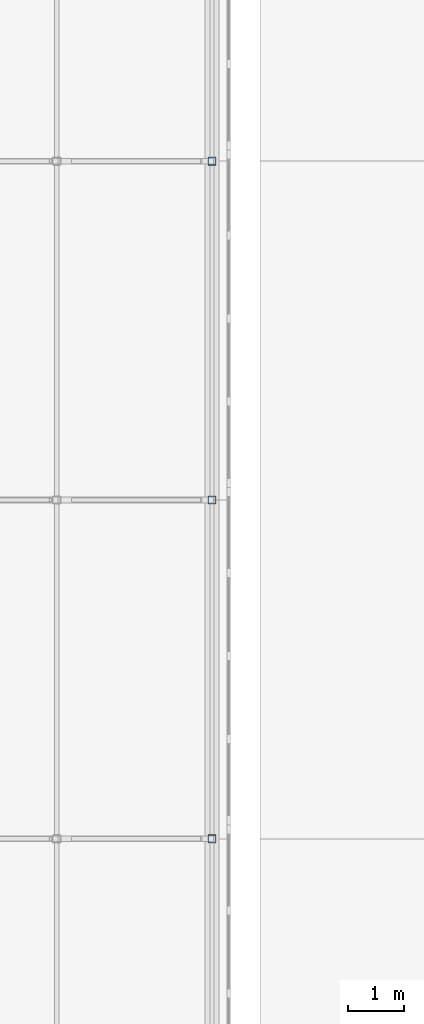
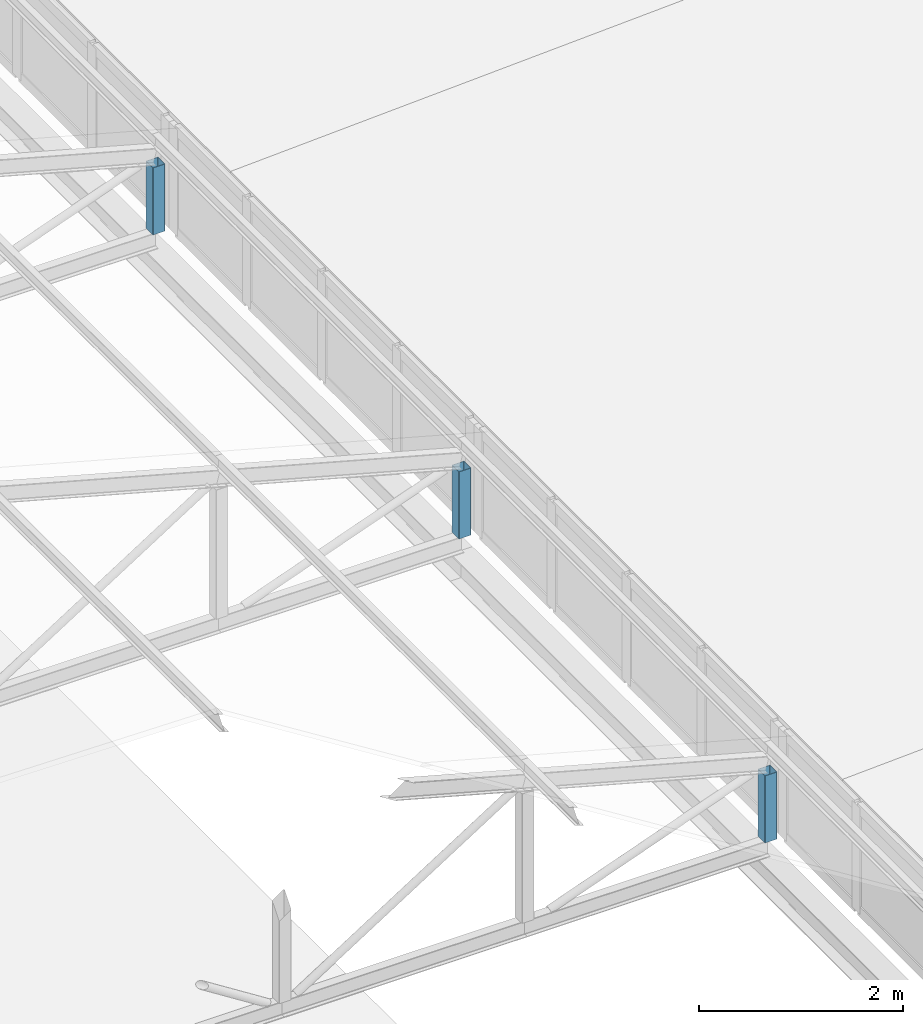
# One storey, part 68 of 94: 3 members.
"""IFC4 building model written with IfcOpenShell, lengths in metres."""

from ifc_helpers import new_model, si_unit, direction, frame, origin, origin_2d, place, context, subcontext, project, spatial, hollow_rectangle, extrude, material, material_profile, profile_set, type_object, element, save


model = new_model("IFC4")

# Units and contexts
model_context = context("Model", 3, precision=1e-05, world=origin(), true_north=direction((0.0, 1.0)))
body_context = subcontext(model_context, "Body", "Model", "MODEL_VIEW")
ifc_project = project(units=[si_unit("LENGTHUNIT", "METRE"), si_unit("AREAUNIT", "SQUARE_METRE"), si_unit("VOLUMEUNIT", "CUBIC_METRE"), si_unit("PLANEANGLEUNIT", "RADIAN"), si_unit("MASSUNIT", "GRAM", prefix="KILO")], contexts=[model_context])

# Site, building, storey
site_placement = place(None, origin())
site = spatial("IfcSite", under=ifc_project, at=site_placement, CompositionType="ELEMENT")
building_placement = place(site_placement, origin())
building = spatial("IfcBuilding", under=site, at=building_placement, Name="Lilac Gate Convention Centre", CompositionType="ELEMENT")
storey_placement = place(building_placement, frame((0.0, 0.0, 21.0)))
storey = spatial("IfcBuildingStorey", under=building, at=storey_placement, Name="L04", CompositionType="ELEMENT", Elevation=21.0)

# Members
ifc_material = material(Name="Steel Q355B", Category="steel")
ifc_material_profile = material_profile(ifc_material, hollow_rectangle(XDim=0.139892578125, YDim=0.139892578125, WallThickness=0.0048828125, InnerFilletRadius=0.0048828125, OuterFilletRadius=0.010009765625, at=origin_2d()), Name="SHS140x140x5")
ifc_profile_set = profile_set([ifc_material_profile], Name="Steel Q355B")
member_type = type_object("IfcMemberType", Name="Lantern post SHS140x140x5", PredefinedType="STRUT", material=ifc_profile_set)
for number, where, z_axis, x_axis, name in (
    (1, (28.60009765625, 66.0, 0.199951171875), (0.0, 0.0, 1.0), (1.0, 0.0, 0.0), "LV1 lantern truss 7 post 5"),
    (2, (28.60009765625, 72.0, 0.199951171875), (0.0, 0.0, 1.0), (1.0, 0.0, 0.0), "LV1 lantern truss 8 post 5"),
    (3, (28.60009765625, 78.0, 0.199951171875), (0.0, 0.0, 1.0), (1.0, 0.0, 0.0), "LV1 lantern truss 9 post 5"),
):
    element("IfcMember", number, at=place(storey_placement, frame(where, z_axis=z_axis, x_axis=x_axis)), inside=storey, type_object=member_type, Name=name, PredefinedType="STRUT", context=body_context, shape_type="SweptSolid", body=[
        extrude(hollow_rectangle(XDim=0.139892578125, YDim=0.139892578125, WallThickness=0.0048828125, InnerFilletRadius=0.0048828125, OuterFilletRadius=0.010009765625, at=origin_2d()), origin(), (0.0, 0.0, 1.0), 0.802001953125),
    ])

save(model, "model.ifc")
